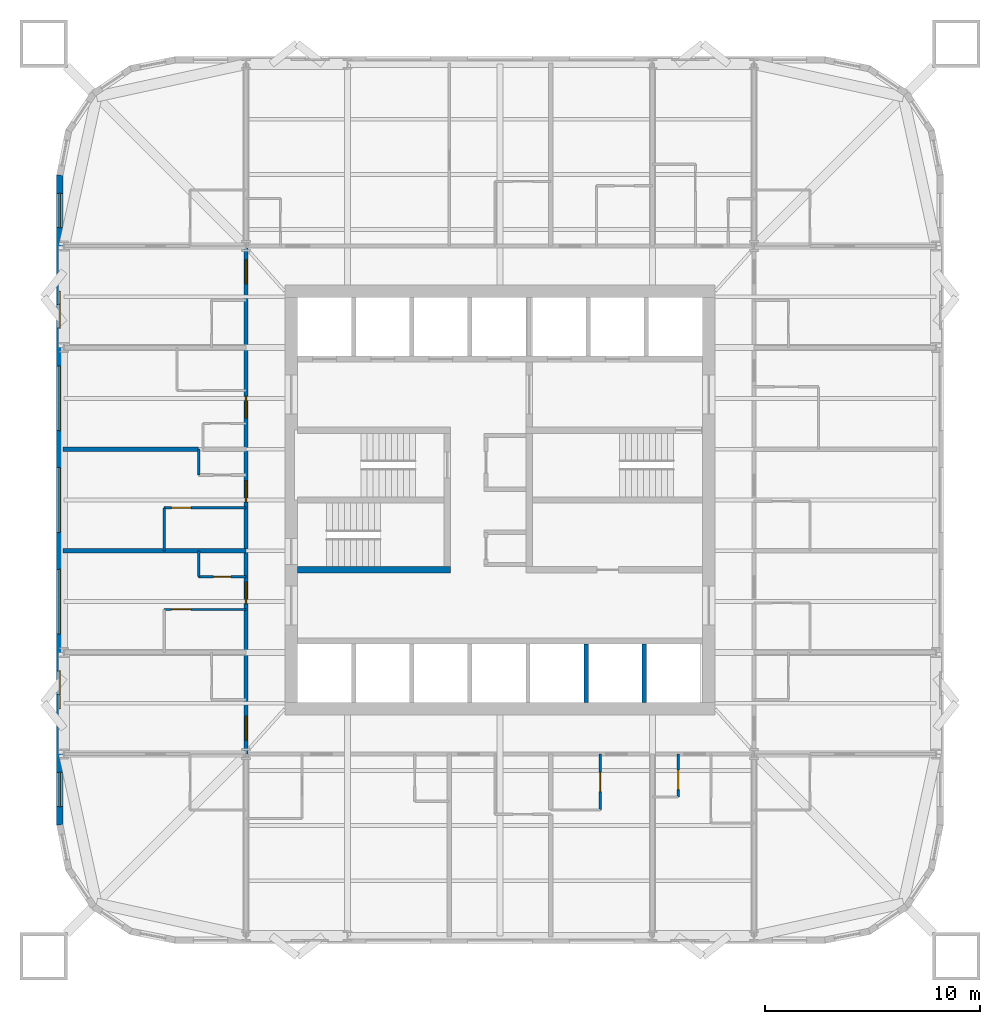
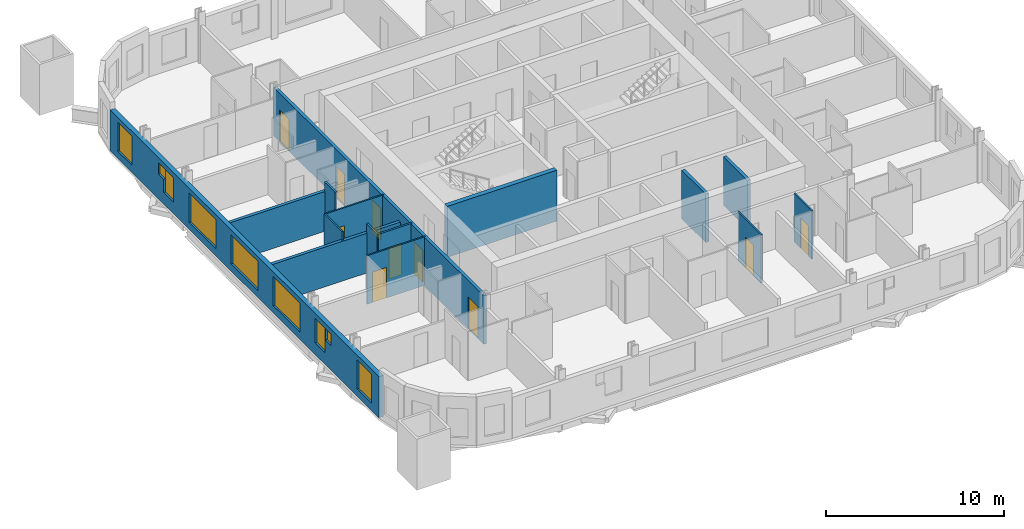
# One storey, part 4 of 10: 15 walls, 10 doors, 9 windows, 19 openings.
"""IFC4 building model written with IfcOpenShell, lengths in metres."""

from ifc_helpers import new_model, si_unit, direction, frame, frame_2d, origin, place, context, subcontext, project, spatial, rectangle, extrude, material, layer, layer_set, type_object, element, fill, save


model = new_model("IFC4")

# Units and contexts
model_context = context("Model", 3, precision=1e-05, world=origin(), true_north=direction((0.0, 1.0)))
body_context = subcontext(model_context, "Body", "Model", "MODEL_VIEW")
ifc_project = project(units=[si_unit("LENGTHUNIT", "METRE"), si_unit("AREAUNIT", "SQUARE_METRE"), si_unit("VOLUMEUNIT", "CUBIC_METRE"), si_unit("PLANEANGLEUNIT", "RADIAN"), si_unit("MASSUNIT", "GRAM", prefix="KILO")], contexts=[model_context])

# Site, building, storey
site_placement = place(None, origin())
site = spatial("IfcSite", under=ifc_project, at=site_placement, CompositionType="ELEMENT")
building_placement = place(site_placement, origin())
building = spatial("IfcBuilding", under=site, at=building_placement, Name="Turquesa Mirador Hotel Tower", CompositionType="ELEMENT")
storey_placement = place(building_placement, frame((0.0, 0.0, 138.89990234375)))
storey = spatial("IfcBuildingStorey", under=building, at=storey_placement, Name="L37", CompositionType="ELEMENT", Elevation=138.89990234375)

# Wall, opening, door
ifc_material_1 = material(Name="Gypsum board on steel studs", Category="steel")
ifc_layer_1 = layer(ifc_material_1, 0.10009765625)
ifc_layer_set_1 = layer_set([ifc_layer_1], Name="BATHROOM WALL 100")
wall_type_1 = type_object("IfcWallType", Name="BATHROOM WALL 100", PredefinedType="PARTITIONING", material=ifc_layer_set_1)
wall_1_placement = place(storey_placement, frame((39.39990234375, 44.639892578125, 0.0), z_axis=(0.0, 0.0, 1.0), x_axis=(1.0, 0.0, 0.0)))
wall_1 = element("IfcWall", 1, at=wall_1_placement, inside=storey, type_object=wall_type_1, Name="Partition L37 002", PredefinedType="PARTITIONING", context=body_context, shape_type="SweptSolid", body=[
    extrude(rectangle(XDim=3.800048828125, YDim=0.10009765625, at=frame_2d((1.89990234375, 0.0))), origin(), (0.0, 0.0, 1.0), 3.330078125),
])
opening_1_placement = place(wall_1_placement, frame((0.35009765625, 0.0, 0.0)))
opening_1 = element("IfcOpeningElement", 2, at=opening_1_placement, cuts=wall_1, Name="Opening D02", PredefinedType="OPENING", context=body_context, shape_type="SweptSolid", body=[
    extrude(rectangle(XDim=0.89990234375, YDim=2.10009765625, at=frame_2d((0.449951171875, 1.050048828125))), frame((0.0, 0.06005859375, 0.0), z_axis=(0.0, -1.0, 0.0), x_axis=(1.0, 0.0, 0.0)), (0.0, 0.0, 1.0), 0.1201171875),
])
ifc_material_2 = material(Name="Timber veneered door", Category="wood")
door_type_1 = type_object("IfcDoorType", Name="DOOR 900X2100 EN-SUITE", OperationType="SINGLE_SWING_RIGHT", PredefinedType="DOOR", material=ifc_material_2)
door_1_placement = place(opening_1_placement, origin())
door_1 = element("IfcDoor", 3, at=door_1_placement, inside=storey, type_object=door_type_1, Name="Door 3712B", OperationType="SINGLE_SWING_RIGHT", OverallHeight=2.10009765625, OverallWidth=0.89990234375, PredefinedType="DOOR", context=body_context, shape_type="SweptSolid", body=[
    extrude(rectangle(XDim=0.89990234375, YDim=2.10009765625, at=frame_2d((0.449951171875, 1.050048828125))), frame((0.0, 0.02490234375, 0.0), z_axis=(0.0, -1.0, 0.0), x_axis=(1.0, 0.0, 0.0)), (0.0, 0.0, 1.0), 0.050048828125),
])
fill(opening_1, door_1)

wall_2_placement = place(storey_placement, frame((39.39990234375, 39.919921875, 0.0), z_axis=(0.0, 0.0, 1.0), x_axis=(1.0, 0.0, 0.0)))
wall_2 = element("IfcWall", 4, at=wall_2_placement, inside=storey, type_object=wall_type_1, Name="Partition L37 020", PredefinedType="PARTITIONING", context=body_context, shape_type="SweptSolid", body=[
    extrude(rectangle(XDim=3.800048828125, YDim=0.10009765625, at=frame_2d((1.89990234375, 0.0))), origin(), (0.0, 0.0, 1.0), 3.330078125),
])
opening_2_placement = place(wall_2_placement, frame((0.35009765625, 0.0, 0.0)))
opening_2 = element("IfcOpeningElement", 5, at=opening_2_placement, cuts=wall_2, Name="Opening D02", PredefinedType="OPENING", context=body_context, shape_type="SweptSolid", body=[
    extrude(rectangle(XDim=0.89990234375, YDim=2.10009765625, at=frame_2d((0.449951171875, 1.050048828125))), frame((0.0, 0.06005859375, 0.0), z_axis=(0.0, -1.0, 0.0), x_axis=(1.0, 0.0, 0.0)), (0.0, 0.0, 1.0), 0.1201171875),
])
door_2_placement = place(opening_2_placement, origin())
door_2 = element("IfcDoor", 6, at=door_2_placement, inside=storey, type_object=door_type_1, Name="Door 3711B", OperationType="SINGLE_SWING_RIGHT", OverallHeight=2.10009765625, OverallWidth=0.89990234375, PredefinedType="DOOR", context=body_context, shape_type="SweptSolid", body=[
    extrude(rectangle(XDim=0.89990234375, YDim=2.10009765625, at=frame_2d((0.449951171875, 1.050048828125))), frame((0.0, 0.02490234375, 0.0), z_axis=(0.0, -1.0, 0.0), x_axis=(1.0, 0.0, 0.0)), (0.0, 0.0, 1.0), 0.050048828125),
])
fill(opening_2, door_2)

# Wall
wall_3_placement = place(storey_placement, frame((39.39990234375, 42.639892578125, 0.0), z_axis=(0.0, 0.0, 1.0), x_axis=(0.0, 1.0, 0.0)))
element("IfcWall", 7, at=wall_3_placement, inside=storey, type_object=wall_type_1, Name="Partition L37 063", PredefinedType="PARTITIONING", context=body_context, shape_type="SweptSolid", body=[
    extrude(rectangle(XDim=2.0, YDim=0.10009765625, at=frame_2d((1.0, 0.0))), origin(), (0.0, 0.0, 1.0), 3.330078125),
])

# Wall, opening, door
wall_4_placement = place(storey_placement, frame((59.659912109375, 30.60009765625, 0.0), z_axis=(0.0, 0.0, 1.0), x_axis=(0.0, 1.0, 0.0)))
wall_4 = element("IfcWall", 8, at=wall_4_placement, inside=storey, type_object=wall_type_1, Name="Partition L37 083", PredefinedType="PARTITIONING", context=body_context, shape_type="SweptSolid", body=[
    extrude(rectangle(XDim=2.599853515625, YDim=0.10009765625, at=frame_2d((1.2998046875, 0.0))), origin(), (0.0, 0.0, 1.0), 3.330078125),
])
opening_3_placement = place(wall_4_placement, frame((0.85009765625, 0.0, 0.0)))
opening_3 = element("IfcOpeningElement", 9, at=opening_3_placement, cuts=wall_4, Name="Opening D02", PredefinedType="OPENING", context=body_context, shape_type="SweptSolid", body=[
    extrude(rectangle(XDim=0.89990234375, YDim=2.10009765625, at=frame_2d((0.449951171875, 1.050048828125))), frame((0.0, 0.06005859375, 0.0), z_axis=(0.0, -1.0, 0.0), x_axis=(1.0, 0.0, 0.0)), (0.0, 0.0, 1.0), 0.1201171875),
])
door_3_placement = place(opening_3_placement, origin())
door_3 = element("IfcDoor", 10, at=door_3_placement, inside=storey, type_object=door_type_1, Name="Door 3706B", OperationType="SINGLE_SWING_RIGHT", OverallHeight=2.10009765625, OverallWidth=0.89990234375, PredefinedType="DOOR", context=body_context, shape_type="SweptSolid", body=[
    extrude(rectangle(XDim=0.89990234375, YDim=2.10009765625, at=frame_2d((0.449951171875, 1.050048828125))), frame((0.0, 0.02490234375, 0.0), z_axis=(0.0, -1.0, 0.0), x_axis=(1.0, 0.0, 0.0)), (0.0, 0.0, 1.0), 0.050048828125),
])
fill(opening_3, door_3)

wall_5_placement = place(storey_placement, frame((63.280029296875, 31.199951171875, 0.0), z_axis=(0.0, 0.0, 1.0), x_axis=(0.0, 1.0, 0.0)))
wall_5 = element("IfcWall", 11, at=wall_5_placement, inside=storey, type_object=wall_type_1, Name="Partition L37 086", PredefinedType="PARTITIONING", context=body_context, shape_type="SweptSolid", body=[
    extrude(rectangle(XDim=2.0, YDim=0.10009765625, at=frame_2d((1.0, 0.0))), origin(), (0.0, 0.0, 1.0), 3.330078125),
])
opening_4_placement = place(wall_5_placement, frame((0.35009765625, 0.0, 0.0)))
opening_4 = element("IfcOpeningElement", 12, at=opening_4_placement, cuts=wall_5, Name="Opening D06", PredefinedType="OPENING", context=body_context, shape_type="SweptSolid", body=[
    extrude(rectangle(XDim=0.89990234375, YDim=2.10009765625, at=frame_2d((0.449951171875, 1.050048828125))), frame((0.0, 0.06005859375, 0.0), z_axis=(0.0, -1.0, 0.0), x_axis=(1.0, 0.0, 0.0)), (0.0, 0.0, 1.0), 0.1201171875),
])
ifc_material_3 = material(Name="Laminate door", Category="wood")
door_type_2 = type_object("IfcDoorType", Name="DOOR 900X2100 WC", OperationType="SINGLE_SWING_LEFT", PredefinedType="DOOR", material=ifc_material_3)
door_4_placement = place(opening_4_placement, origin())
door_4 = element("IfcDoor", 13, at=door_4_placement, inside=storey, type_object=door_type_2, Name="Door 3707W", OperationType="SINGLE_SWING_LEFT", OverallHeight=2.10009765625, OverallWidth=0.89990234375, PredefinedType="DOOR", context=body_context, shape_type="SweptSolid", body=[
    extrude(rectangle(XDim=0.89990234375, YDim=2.10009765625, at=frame_2d((0.449951171875, 1.050048828125))), frame((0.0, 0.02490234375, 0.0), z_axis=(0.0, -1.0, 0.0), x_axis=(1.0, 0.0, 0.0)), (0.0, 0.0, 1.0), 0.050048828125),
])
fill(opening_4, door_4)

# Wall
ifc_material_4 = material(Name="Concrete C50/60", Category="concrete")
ifc_layer_2 = layer(ifc_material_4, 0.300048828125)
ifc_layer_set_2 = layer_set([ifc_layer_2], Name="CORE INNER WALL 300")
wall_type_2 = type_object("IfcWallType", Name="CORE INNER WALL 300", PredefinedType="SHEAR", material=ifc_layer_set_2)
wall_6_placement = place(storey_placement, frame((45.60009765625, 41.75, 0.0), z_axis=(0.0, 0.0, 1.0), x_axis=(1.0, 0.0, 0.0)))
element("IfcWall", 14, at=wall_6_placement, inside=storey, type_object=wall_type_2, Name="Core wall MS-W", PredefinedType="SHEAR", context=body_context, shape_type="SweptSolid", body=[
    extrude(rectangle(XDim=7.099853515625, YDim=0.300048828125, at=frame_2d((3.5498046875, 0.0))), origin(), (0.0, 0.0, 1.0), 3.5),
])

# Wall, openings, doors
ifc_material_5 = material(Name="Fire-rated gypsum board on steel studs", Category="steel")
ifc_layer_3 = layer(ifc_material_5, 0.199951171875)
ifc_layer_set_3 = layer_set([ifc_layer_3], Name="CORRIDOR WALL 200")
wall_type_3 = type_object("IfcWallType", Name="CORRIDOR WALL 200", PredefinedType="PARTITIONING", material=ifc_layer_set_3)
wall_7_placement = place(storey_placement, frame((43.199951171875, 33.199951171875, 0.0), z_axis=(0.0, 0.0, 1.0), x_axis=(0.0, 1.0, 0.0)))
wall_7 = element("IfcWall", 15, at=wall_7_placement, inside=storey, type_object=wall_type_3, Name="Partition L37 051", PredefinedType="PARTITIONING", context=body_context, shape_type="SweptSolid", body=[
    extrude(rectangle(XDim=23.60009765625, YDim=0.199951171875, at=frame_2d((11.800048828125, 0.0))), origin(), (0.0, 0.0, 1.0), 3.330078125),
])
opening_5_placement = place(wall_7_placement, frame((6.97998046875, 0.0, 0.0)))
opening_5 = element("IfcOpeningElement", 16, at=opening_5_placement, cuts=wall_7, Name="Opening D01", PredefinedType="OPENING", context=body_context, shape_type="SweptSolid", body=[
    extrude(rectangle(XDim=1.0, YDim=2.199951171875, at=frame_2d((0.5, 1.10009765625))), frame((0.0, 0.10986328125, 0.0), z_axis=(0.0, -1.0, 0.0), x_axis=(1.0, 0.0, 0.0)), (0.0, 0.0, 1.0), 0.219970703125),
])
opening_6_placement = place(wall_7_placement, frame((11.699951171875, 0.0, 0.0)))
opening_6 = element("IfcOpeningElement", 17, at=opening_6_placement, cuts=wall_7, Name="Opening D01", PredefinedType="OPENING", context=body_context, shape_type="SweptSolid", body=[
    extrude(rectangle(XDim=1.0, YDim=2.199951171875, at=frame_2d((0.5, 1.10009765625))), frame((0.0, 0.10986328125, 0.0), z_axis=(0.0, -1.0, 0.0), x_axis=(1.0, 0.0, 0.0)), (0.0, 0.0, 1.0), 0.219970703125),
])
opening_7_placement = place(wall_7_placement, frame((15.6201171875, 0.0, 0.0)))
opening_7 = element("IfcOpeningElement", 18, at=opening_7_placement, cuts=wall_7, Name="Opening D01", PredefinedType="OPENING", context=body_context, shape_type="SweptSolid", body=[
    extrude(rectangle(XDim=1.0, YDim=2.199951171875, at=frame_2d((0.5, 1.10009765625))), frame((0.0, 0.10986328125, 0.0), z_axis=(0.0, -1.0, 0.0), x_axis=(1.0, 0.0, 0.0)), (0.0, 0.0, 1.0), 0.219970703125),
])
opening_8_placement = place(wall_7_placement, frame((21.85009765625, 0.0, 0.0)))
opening_8 = element("IfcOpeningElement", 19, at=opening_8_placement, cuts=wall_7, Name="Opening D15", PredefinedType="OPENING", context=body_context, shape_type="SweptSolid", body=[
    extrude(rectangle(XDim=1.10009765625, YDim=2.199951171875, at=frame_2d((0.550048828125, 1.10009765625))), frame((0.0, 0.10986328125, 0.0), z_axis=(0.0, -1.0, 0.0), x_axis=(1.0, 0.0, 0.0)), (0.0, 0.0, 1.0), 0.219970703125),
])
opening_9_placement = place(wall_7_placement, frame((0.64990234375, 0.0, 0.0)))
opening_9 = element("IfcOpeningElement", 20, at=opening_9_placement, cuts=wall_7, Name="Opening D15", PredefinedType="OPENING", context=body_context, shape_type="SweptSolid", body=[
    extrude(rectangle(XDim=1.10009765625, YDim=2.199951171875, at=frame_2d((0.550048828125, 1.10009765625))), frame((0.0, 0.10986328125, 0.0), z_axis=(0.0, -1.0, 0.0), x_axis=(1.0, 0.0, 0.0)), (0.0, 0.0, 1.0), 0.219970703125),
])
ifc_material_6 = material(Name="Timber veneered fire door", Category="wood")
door_type_3 = type_object("IfcDoorType", Name="DOOR 1000X2200 GUEST ENTRY", OperationType="SINGLE_SWING_LEFT", PredefinedType="DOOR", material=ifc_material_6)
door_5_placement = place(opening_5_placement, origin())
door_5 = element("IfcDoor", 21, at=door_5_placement, inside=storey, type_object=door_type_3, Name="Door 3711", OperationType="SINGLE_SWING_LEFT", OverallHeight=2.199951171875, OverallWidth=1.0, PredefinedType="DOOR", context=body_context, shape_type="SweptSolid", body=[
    extrude(rectangle(XDim=1.0, YDim=2.199951171875, at=frame_2d((0.5, 1.10009765625))), frame((0.0, 0.02490234375, 0.0), z_axis=(0.0, -1.0, 0.0), x_axis=(1.0, 0.0, 0.0)), (0.0, 0.0, 1.0), 0.050048828125),
])
fill(opening_5, door_5)
door_6_placement = place(opening_6_placement, origin())
door_6 = element("IfcDoor", 22, at=door_6_placement, inside=storey, type_object=door_type_3, Name="Door 3712", OperationType="SINGLE_SWING_LEFT", OverallHeight=2.199951171875, OverallWidth=1.0, PredefinedType="DOOR", context=body_context, shape_type="SweptSolid", body=[
    extrude(rectangle(XDim=1.0, YDim=2.199951171875, at=frame_2d((0.5, 1.10009765625))), frame((0.0, 0.02490234375, 0.0), z_axis=(0.0, -1.0, 0.0), x_axis=(1.0, 0.0, 0.0)), (0.0, 0.0, 1.0), 0.050048828125),
])
fill(opening_6, door_6)
door_7_placement = place(opening_7_placement, origin())
door_7 = element("IfcDoor", 23, at=door_7_placement, inside=storey, type_object=door_type_3, Name="Door 3713", OperationType="SINGLE_SWING_LEFT", OverallHeight=2.199951171875, OverallWidth=1.0, PredefinedType="DOOR", context=body_context, shape_type="SweptSolid", body=[
    extrude(rectangle(XDim=1.0, YDim=2.199951171875, at=frame_2d((0.5, 1.10009765625))), frame((0.0, 0.02490234375, 0.0), z_axis=(0.0, -1.0, 0.0), x_axis=(1.0, 0.0, 0.0)), (0.0, 0.0, 1.0), 0.050048828125),
])
fill(opening_7, door_7)
ifc_material_7 = material(Name="Timber veneered fire door", Category="wood")
door_type_4 = type_object("IfcDoorType", Name="DOOR 1100X2200 SUITE ENTRY", OperationType="SINGLE_SWING_LEFT", PredefinedType="DOOR", material=ifc_material_7)
door_8_placement = place(opening_8_placement, origin())
door_8 = element("IfcDoor", 24, at=door_8_placement, inside=storey, type_object=door_type_4, Name="Door 3715", OperationType="SINGLE_SWING_LEFT", OverallHeight=2.199951171875, OverallWidth=1.10009765625, PredefinedType="DOOR", context=body_context, shape_type="SweptSolid", body=[
    extrude(rectangle(XDim=1.10009765625, YDim=2.199951171875, at=frame_2d((0.550048828125, 1.10009765625))), frame((0.0, 0.02490234375, 0.0), z_axis=(0.0, -1.0, 0.0), x_axis=(1.0, 0.0, 0.0)), (0.0, 0.0, 1.0), 0.050048828125),
])
fill(opening_8, door_8)
door_9_placement = place(opening_9_placement, origin())
door_9 = element("IfcDoor", 25, at=door_9_placement, inside=storey, type_object=door_type_4, Name="Door 3716", OperationType="SINGLE_SWING_LEFT", OverallHeight=2.199951171875, OverallWidth=1.10009765625, PredefinedType="DOOR", context=body_context, shape_type="SweptSolid", body=[
    extrude(rectangle(XDim=1.10009765625, YDim=2.199951171875, at=frame_2d((0.550048828125, 1.10009765625))), frame((0.0, 0.02490234375, 0.0), z_axis=(0.0, -1.0, 0.0), x_axis=(1.0, 0.0, 0.0)), (0.0, 0.0, 1.0), 0.050048828125),
])
fill(opening_9, door_9)

# Wall, openings, windows
ifc_material_8 = material(Name="Limestone cladding on concrete block", Category="masonry")
ifc_layer_4 = layer(ifc_material_8, 0.300048828125)
ifc_layer_set_4 = layer_set([ifc_layer_4], Name="FACADE WALL 300 STONE SCREEN")
wall_type_4 = type_object("IfcWallType", Name="FACADE WALL 300 STONE SCREEN", PredefinedType="SOLIDWALL", material=ifc_layer_set_4)
wall_8_placement = place(storey_placement, frame((34.550048828125, 60.10009765625, 0.0), z_axis=(0.0, 0.0, 1.0), x_axis=(0.0, -1.0, 0.0)))
wall_8 = element("IfcWall", 26, at=wall_8_placement, inside=storey, type_object=wall_type_4, Name="Facade wall L37 14", PredefinedType="SOLIDWALL", context=body_context, shape_type="SweptSolid", body=[
    extrude(rectangle(XDim=30.2001953125, YDim=0.300048828125, at=frame_2d((15.10009765625, 0.0))), origin(), (0.0, 0.0, 1.0), 2.830078125),
])
opening_10_placement = place(wall_8_placement, frame((0.85009765625, 0.0, 0.5)))
opening_10 = element("IfcOpeningElement", 27, at=opening_10_placement, cuts=wall_8, Name="Opening WN3", PredefinedType="OPENING", context=body_context, shape_type="SweptSolid", body=[
    extrude(rectangle(XDim=1.60009765625, YDim=2.0, at=frame_2d((0.800048828125, 1.0))), frame((0.0, 0.159912109375, 0.0), z_axis=(0.0, -1.0, 0.0), x_axis=(1.0, 0.0, 0.0)), (0.0, 0.0, 1.0), 0.320068359375),
])
opening_11_placement = place(wall_8_placement, frame((6.010009765625, 0.0, 0.800048828125)))
opening_11 = element("IfcOpeningElement", 28, at=opening_11_placement, cuts=wall_8, Name="Opening WN26", PredefinedType="OPENING", context=body_context, shape_type="SweptSolid", body=[
    extrude(rectangle(XDim=1.10009765625, YDim=1.699951171875, at=frame_2d((0.550048828125, 0.85009765625))), frame((0.0, 0.159912109375, 0.0), z_axis=(0.0, -1.0, 0.0), x_axis=(1.0, 0.0, 0.0)), (0.0, 0.0, 1.0), 0.320068359375),
])
opening_12_placement = place(wall_8_placement, frame((8.8798828125, 0.0, 0.5)))
opening_12 = element("IfcOpeningElement", 29, at=opening_12_placement, cuts=wall_8, Name="Opening WN1", PredefinedType="OPENING", context=body_context, shape_type="SweptSolid", body=[
    extrude(rectangle(XDim=3.0, YDim=2.0, at=frame_2d((1.5, 1.0))), frame((0.0, 0.159912109375, 0.0), z_axis=(0.0, -1.0, 0.0), x_axis=(1.0, 0.0, 0.0)), (0.0, 0.0, 1.0), 0.320068359375),
])
opening_13_placement = place(wall_8_placement, frame((13.60009765625, 0.0, 0.5)))
opening_13 = element("IfcOpeningElement", 30, at=opening_13_placement, cuts=wall_8, Name="Opening WN1", PredefinedType="OPENING", context=body_context, shape_type="SweptSolid", body=[
    extrude(rectangle(XDim=3.0, YDim=2.0, at=frame_2d((1.5, 1.0))), frame((0.0, 0.159912109375, 0.0), z_axis=(0.0, -1.0, 0.0), x_axis=(1.0, 0.0, 0.0)), (0.0, 0.0, 1.0), 0.320068359375),
])
opening_14_placement = place(wall_8_placement, frame((18.320068359375, 0.0, 0.5)))
opening_14 = element("IfcOpeningElement", 31, at=opening_14_placement, cuts=wall_8, Name="Opening WN1", PredefinedType="OPENING", context=body_context, shape_type="SweptSolid", body=[
    extrude(rectangle(XDim=3.0, YDim=2.0, at=frame_2d((1.5, 1.0))), frame((0.0, 0.159912109375, 0.0), z_axis=(0.0, -1.0, 0.0), x_axis=(1.0, 0.0, 0.0)), (0.0, 0.0, 1.0), 0.320068359375),
])
opening_15_placement = place(wall_8_placement, frame((23.0400390625, 0.0, 0.800048828125)))
opening_15 = element("IfcOpeningElement", 32, at=opening_15_placement, cuts=wall_8, Name="Opening WN26", PredefinedType="OPENING", context=body_context, shape_type="SweptSolid", body=[
    extrude(rectangle(XDim=1.10009765625, YDim=1.699951171875, at=frame_2d((0.550048828125, 0.85009765625))), frame((0.0, 0.159912109375, 0.0), z_axis=(0.0, -1.0, 0.0), x_axis=(1.0, 0.0, 0.0)), (0.0, 0.0, 1.0), 0.320068359375),
])
opening_16_placement = place(wall_8_placement, frame((27.75, 0.0, 0.5)))
opening_16 = element("IfcOpeningElement", 33, at=opening_16_placement, cuts=wall_8, Name="Opening WN3", PredefinedType="OPENING", context=body_context, shape_type="SweptSolid", body=[
    extrude(rectangle(XDim=1.60009765625, YDim=2.0, at=frame_2d((0.800048828125, 1.0))), frame((0.0, 0.159912109375, 0.0), z_axis=(0.0, -1.0, 0.0), x_axis=(1.0, 0.0, 0.0)), (0.0, 0.0, 1.0), 0.320068359375),
])
opening_17_placement = place(wall_8_placement, frame((5.409912109375, 0.0, 1.699951171875)))
opening_17 = element("IfcOpeningElement", 34, at=opening_17_placement, cuts=wall_8, Name="Opening WN28", PredefinedType="OPENING", context=body_context, shape_type="SweptSolid", body=[
    extrude(rectangle(XDim=0.60009765625, YDim=0.800048828125, at=frame_2d((0.300048828125, 0.39990234375))), frame((0.0, 0.159912109375, 0.0), z_axis=(0.0, -1.0, 0.0), x_axis=(1.0, 0.0, 0.0)), (0.0, 0.0, 1.0), 0.320068359375),
])
opening_18_placement = place(wall_8_placement, frame((24.18994140625, 0.0, 1.699951171875)))
opening_18 = element("IfcOpeningElement", 35, at=opening_18_placement, cuts=wall_8, Name="Opening WN28", PredefinedType="OPENING", context=body_context, shape_type="SweptSolid", body=[
    extrude(rectangle(XDim=0.60009765625, YDim=0.800048828125, at=frame_2d((0.300048828125, 0.39990234375))), frame((0.0, 0.159912109375, 0.0), z_axis=(0.0, -1.0, 0.0), x_axis=(1.0, 0.0, 0.0)), (0.0, 0.0, 1.0), 0.320068359375),
])
ifc_material_9 = material(Name="Ceramic-fritted laminated glass", Category="glass")
window_type_1 = type_object("IfcWindowType", Name="FRITTED WINDOW 1100X1700", PartitioningType="DOUBLE_PANEL_HORIZONTAL", PredefinedType="WINDOW", material=ifc_material_9)
window_1_placement = place(opening_11_placement, origin())
window_1 = element("IfcWindow", 36, at=window_1_placement, inside=storey, type_object=window_type_1, Name="Window L37", OverallHeight=1.699951171875, OverallWidth=1.10009765625, PartitioningType="SINGLE_PANEL", PredefinedType="WINDOW", context=body_context, shape_type="SweptSolid", body=[
    extrude(rectangle(XDim=1.10009765625, YDim=1.699951171875, at=frame_2d((0.550048828125, 0.85009765625))), frame((0.0, 0.030029296875, 0.0), z_axis=(0.0, -1.0, 0.0), x_axis=(1.0, 0.0, 0.0)), (0.0, 0.0, 1.0), 0.06005859375),
])
fill(opening_11, window_1)
window_2_placement = place(opening_15_placement, origin())
window_2 = element("IfcWindow", 37, at=window_2_placement, inside=storey, type_object=window_type_1, Name="Window L37", OverallHeight=1.699951171875, OverallWidth=1.10009765625, PartitioningType="SINGLE_PANEL", PredefinedType="WINDOW", context=body_context, shape_type="SweptSolid", body=[
    extrude(rectangle(XDim=1.10009765625, YDim=1.699951171875, at=frame_2d((0.550048828125, 0.85009765625))), frame((0.0, 0.030029296875, 0.0), z_axis=(0.0, -1.0, 0.0), x_axis=(1.0, 0.0, 0.0)), (0.0, 0.0, 1.0), 0.06005859375),
])
fill(opening_15, window_2)
ifc_material_10 = material(Name="Ceramic-fritted laminated glass", Category="glass")
window_type_2 = type_object("IfcWindowType", Name="FRITTED WINDOW 1600X2000", PartitioningType="DOUBLE_PANEL_HORIZONTAL", PredefinedType="WINDOW", material=ifc_material_10)
window_3_placement = place(opening_10_placement, origin())
window_3 = element("IfcWindow", 38, at=window_3_placement, inside=storey, type_object=window_type_2, Name="Window L37", OverallHeight=2.0, OverallWidth=1.60009765625, PartitioningType="SINGLE_PANEL", PredefinedType="WINDOW", context=body_context, shape_type="SweptSolid", body=[
    extrude(rectangle(XDim=1.60009765625, YDim=2.0, at=frame_2d((0.800048828125, 1.0))), frame((0.0, 0.030029296875, 0.0), z_axis=(0.0, -1.0, 0.0), x_axis=(1.0, 0.0, 0.0)), (0.0, 0.0, 1.0), 0.06005859375),
])
fill(opening_10, window_3)
window_4_placement = place(opening_16_placement, origin())
window_4 = element("IfcWindow", 39, at=window_4_placement, inside=storey, type_object=window_type_2, Name="Window L37", OverallHeight=2.0, OverallWidth=1.60009765625, PartitioningType="SINGLE_PANEL", PredefinedType="WINDOW", context=body_context, shape_type="SweptSolid", body=[
    extrude(rectangle(XDim=1.60009765625, YDim=2.0, at=frame_2d((0.800048828125, 1.0))), frame((0.0, 0.030029296875, 0.0), z_axis=(0.0, -1.0, 0.0), x_axis=(1.0, 0.0, 0.0)), (0.0, 0.0, 1.0), 0.06005859375),
])
fill(opening_16, window_4)
ifc_material_11 = material(Name="Ceramic-fritted laminated glass", Category="glass")
window_type_3 = type_object("IfcWindowType", Name="FRITTED WINDOW 3000X2000", PartitioningType="DOUBLE_PANEL_HORIZONTAL", PredefinedType="WINDOW", material=ifc_material_11)
window_5_placement = place(opening_12_placement, origin())
window_5 = element("IfcWindow", 40, at=window_5_placement, inside=storey, type_object=window_type_3, Name="Window L37", OverallHeight=2.0, OverallWidth=3.0, PartitioningType="SINGLE_PANEL", PredefinedType="WINDOW", context=body_context, shape_type="SweptSolid", body=[
    extrude(rectangle(XDim=3.0, YDim=2.0, at=frame_2d((1.5, 1.0))), frame((0.0, 0.030029296875, 0.0), z_axis=(0.0, -1.0, 0.0), x_axis=(1.0, 0.0, 0.0)), (0.0, 0.0, 1.0), 0.06005859375),
])
fill(opening_12, window_5)
window_6_placement = place(opening_13_placement, origin())
window_6 = element("IfcWindow", 41, at=window_6_placement, inside=storey, type_object=window_type_3, Name="Window L37", OverallHeight=2.0, OverallWidth=3.0, PartitioningType="SINGLE_PANEL", PredefinedType="WINDOW", context=body_context, shape_type="SweptSolid", body=[
    extrude(rectangle(XDim=3.0, YDim=2.0, at=frame_2d((1.5, 1.0))), frame((0.0, 0.030029296875, 0.0), z_axis=(0.0, -1.0, 0.0), x_axis=(1.0, 0.0, 0.0)), (0.0, 0.0, 1.0), 0.06005859375),
])
fill(opening_13, window_6)
window_7_placement = place(opening_14_placement, origin())
window_7 = element("IfcWindow", 42, at=window_7_placement, inside=storey, type_object=window_type_3, Name="Window L37", OverallHeight=2.0, OverallWidth=3.0, PartitioningType="SINGLE_PANEL", PredefinedType="WINDOW", context=body_context, shape_type="SweptSolid", body=[
    extrude(rectangle(XDim=3.0, YDim=2.0, at=frame_2d((1.5, 1.0))), frame((0.0, 0.030029296875, 0.0), z_axis=(0.0, -1.0, 0.0), x_axis=(1.0, 0.0, 0.0)), (0.0, 0.0, 1.0), 0.06005859375),
])
fill(opening_14, window_7)
ifc_material_12 = material(Name="Ceramic-fritted laminated glass", Category="glass")
window_type_4 = type_object("IfcWindowType", Name="FRITTED WINDOW 600X800", PartitioningType="DOUBLE_PANEL_HORIZONTAL", PredefinedType="WINDOW", material=ifc_material_12)
window_8_placement = place(opening_17_placement, origin())
window_8 = element("IfcWindow", 43, at=window_8_placement, inside=storey, type_object=window_type_4, Name="Window L37", OverallHeight=0.800048828125, OverallWidth=0.60009765625, PartitioningType="SINGLE_PANEL", PredefinedType="WINDOW", context=body_context, shape_type="SweptSolid", body=[
    extrude(rectangle(XDim=0.60009765625, YDim=0.800048828125, at=frame_2d((0.300048828125, 0.39990234375))), frame((0.0, 0.030029296875, 0.0), z_axis=(0.0, -1.0, 0.0), x_axis=(1.0, 0.0, 0.0)), (0.0, 0.0, 1.0), 0.06005859375),
])
fill(opening_17, window_8)
window_9_placement = place(opening_18_placement, origin())
window_9 = element("IfcWindow", 44, at=window_9_placement, inside=storey, type_object=window_type_4, Name="Window L37", OverallHeight=0.800048828125, OverallWidth=0.60009765625, PartitioningType="SINGLE_PANEL", PredefinedType="WINDOW", context=body_context, shape_type="SweptSolid", body=[
    extrude(rectangle(XDim=0.60009765625, YDim=0.800048828125, at=frame_2d((0.300048828125, 0.39990234375))), frame((0.0, 0.030029296875, 0.0), z_axis=(0.0, -1.0, 0.0), x_axis=(1.0, 0.0, 0.0)), (0.0, 0.0, 1.0), 0.06005859375),
])
fill(opening_18, window_9)

# Walls
ifc_material_13 = material(Name="Fire-rated gypsum shaft wall on steel studs", Category="steel")
ifc_layer_5 = layer(ifc_material_13, 0.199951171875)
ifc_layer_set_5 = layer_set([ifc_layer_5], Name="LIFT SHAFT DIVIDER 200")
wall_type_5 = type_object("IfcWallType", Name="LIFT SHAFT DIVIDER 200", PredefinedType="PARTITIONING", material=ifc_layer_set_5)
for number, where, z_axis, x_axis, name in (
    (45, (59.0, 35.60009765625, 0.0), (0.0, 0.0, 1.0), (0.0, 1.0, 0.0), "Lift shaft divider"),
    (46, (61.699951171875, 35.60009765625, 0.0), (0.0, 0.0, 1.0), (0.0, 1.0, 0.0), "Lift shaft divider"),
):
    element("IfcWall", number, at=place(storey_placement, frame(where, z_axis=z_axis, x_axis=x_axis)), inside=storey, type_object=wall_type_5, Name=name, PredefinedType="PARTITIONING", context=body_context, shape_type="SweptSolid", body=[
        extrude(rectangle(XDim=2.699951171875, YDim=0.199951171875, at=frame_2d((1.35009765625, 0.0))), origin(), (0.0, 0.0, 1.0), 3.330078125),
    ])
ifc_material_14 = material(Name="Fire-rated gypsum board on steel studs", Category="steel")
ifc_layer_6 = layer(ifc_material_14, 0.199951171875)
ifc_layer_set_6 = layer_set([ifc_layer_6], Name="PARTY WALL 200")
wall_type_6 = type_object("IfcWallType", Name="PARTY WALL 200", PredefinedType="PARTITIONING", material=ifc_layer_set_6)
wall_9_placement = place(storey_placement, frame((34.699951171875, 42.639892578125, 0.0), z_axis=(0.0, 0.0, 1.0), x_axis=(1.0, 0.0, 0.0)))
element("IfcWall", 47, at=wall_9_placement, inside=storey, type_object=wall_type_6, Name="Partition L37 016", PredefinedType="PARTITIONING", context=body_context, shape_type="SweptSolid", body=[
    extrude(rectangle(XDim=8.5, YDim=0.199951171875, at=frame_2d((4.25, 0.0))), origin(), (0.0, 0.0, 1.0), 2.730712890625),
])
wall_10_placement = place(storey_placement, frame((34.699951171875, 47.360107421875, 0.0), z_axis=(0.0, 0.0, 1.0), x_axis=(1.0, 0.0, 0.0)))
element("IfcWall", 48, at=wall_10_placement, inside=storey, type_object=wall_type_6, Name="Partition L37 038", PredefinedType="PARTITIONING", context=body_context, shape_type="SweptSolid", body=[
    extrude(rectangle(XDim=6.300048828125, YDim=0.199951171875, at=frame_2d((3.14990234375, 0.0))), origin(), (0.0, 0.0, 1.0), 2.730712890625),
])

# Wall, opening, door
ifc_material_15 = material(Name="Acoustic gypsum board on steel studs", Category="steel")
ifc_layer_7 = layer(ifc_material_15, 0.125)
ifc_layer_set_7 = layer_set([ifc_layer_7], Name="SUITE PARTITION 125")
wall_type_7 = type_object("IfcWallType", Name="SUITE PARTITION 125", PredefinedType="PARTITIONING", material=ifc_layer_set_7)
wall_11_placement = place(storey_placement, frame((41.0, 41.43994140625, 0.0), z_axis=(0.0, 0.0, 1.0), x_axis=(1.0, 0.0, 0.0)))
wall_11 = element("IfcWall", 49, at=wall_11_placement, inside=storey, type_object=wall_type_7, Name="Partition L37 018", PredefinedType="PARTITIONING", context=body_context, shape_type="SweptSolid", body=[
    extrude(rectangle(XDim=2.199951171875, YDim=0.125, at=frame_2d((1.10009765625, 0.0))), origin(), (0.0, 0.0, 1.0), 3.330078125),
])
opening_19_placement = place(wall_11_placement, frame((0.699951171875, 0.0, 0.0)))
opening_19 = element("IfcOpeningElement", 50, at=opening_19_placement, cuts=wall_11, Name="Opening D20", PredefinedType="OPENING", context=body_context, shape_type="SweptSolid", body=[
    extrude(rectangle(XDim=0.800048828125, YDim=2.10009765625, at=frame_2d((0.39990234375, 1.050048828125))), frame((0.0, 0.072509765625, 0.0), z_axis=(0.0, -1.0, 0.0), x_axis=(1.0, 0.0, 0.0)), (0.0, 0.0, 1.0), 0.14501953125),
])
ifc_material_16 = material(Name="Timber veneered sliding door", Category="wood")
door_type_5 = type_object("IfcDoorType", Name="DOOR 800X2100 WARDROBE", OperationType="SLIDING_TO_LEFT", PredefinedType="DOOR", material=ifc_material_16)
door_10_placement = place(opening_19_placement, origin())
door_10 = element("IfcDoor", 51, at=door_10_placement, inside=storey, type_object=door_type_5, Name="Door 3711W", OperationType="SLIDING_TO_LEFT", OverallHeight=2.10009765625, OverallWidth=0.800048828125, PredefinedType="DOOR", context=body_context, shape_type="SweptSolid", body=[
    extrude(rectangle(XDim=0.800048828125, YDim=2.10009765625, at=frame_2d((0.39990234375, 1.050048828125))), frame((0.0, 0.02490234375, 0.0), z_axis=(0.0, -1.0, 0.0), x_axis=(1.0, 0.0, 0.0)), (0.0, 0.0, 1.0), 0.050048828125),
])
fill(opening_19, door_10)

# Walls
wall_12_placement = place(storey_placement, frame((41.0, 41.43994140625, 0.0), z_axis=(0.0, 0.0, 1.0), x_axis=(0.0, 1.0, 0.0)))
element("IfcWall", 52, at=wall_12_placement, inside=storey, type_object=wall_type_7, Name="Partition L37 057", PredefinedType="PARTITIONING", context=body_context, shape_type="SweptSolid", body=[
    extrude(rectangle(XDim=1.199951171875, YDim=0.125, at=frame_2d((0.60009765625, 0.0))), origin(), (0.0, 0.0, 1.0), 3.330078125),
])
wall_13_placement = place(storey_placement, frame((41.0, 46.159912109375, 0.0), z_axis=(0.0, 0.0, 1.0), x_axis=(0.0, 1.0, 0.0)))
element("IfcWall", 53, at=wall_13_placement, inside=storey, type_object=wall_type_7, Name="Partition L37 058", PredefinedType="PARTITIONING", context=body_context, shape_type="SweptSolid", body=[
    extrude(rectangle(XDim=1.2001953125, YDim=0.125, at=frame_2d((0.60009765625, 0.0))), origin(), (0.0, 0.0, 1.0), 3.330078125),
])

save(model, "model.ifc")
